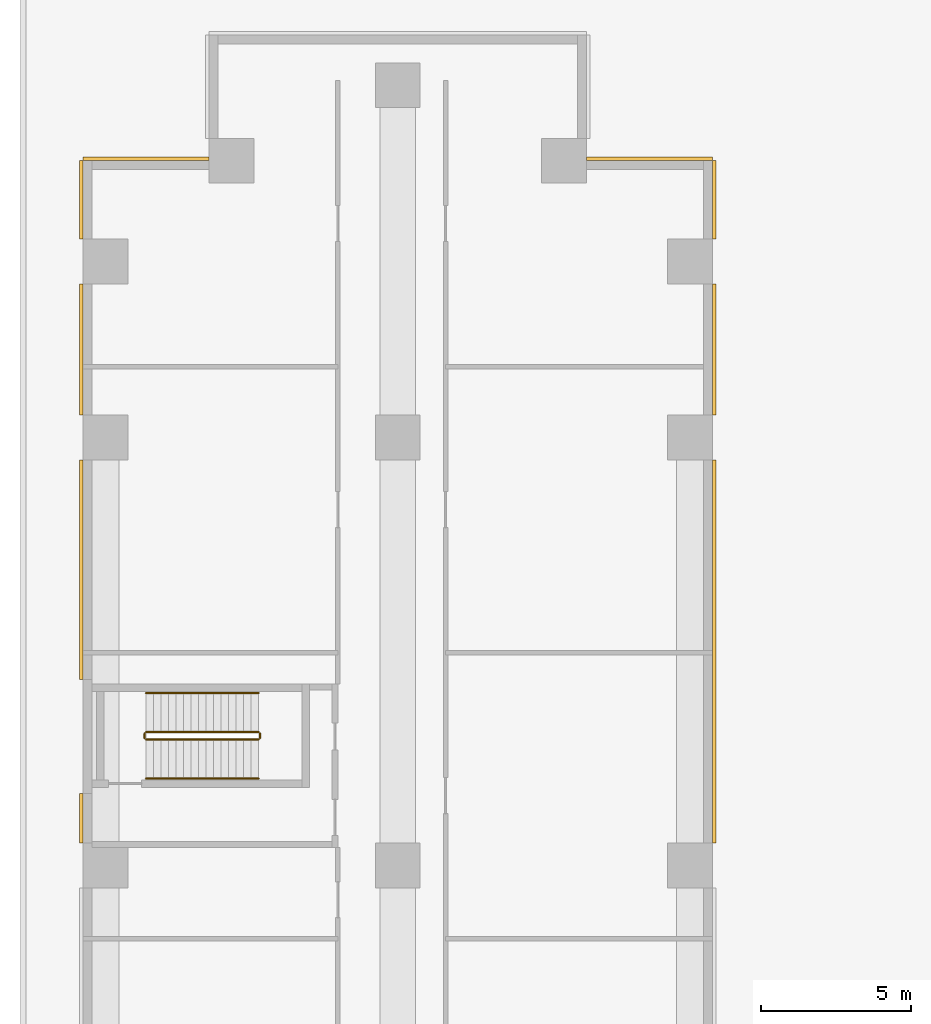
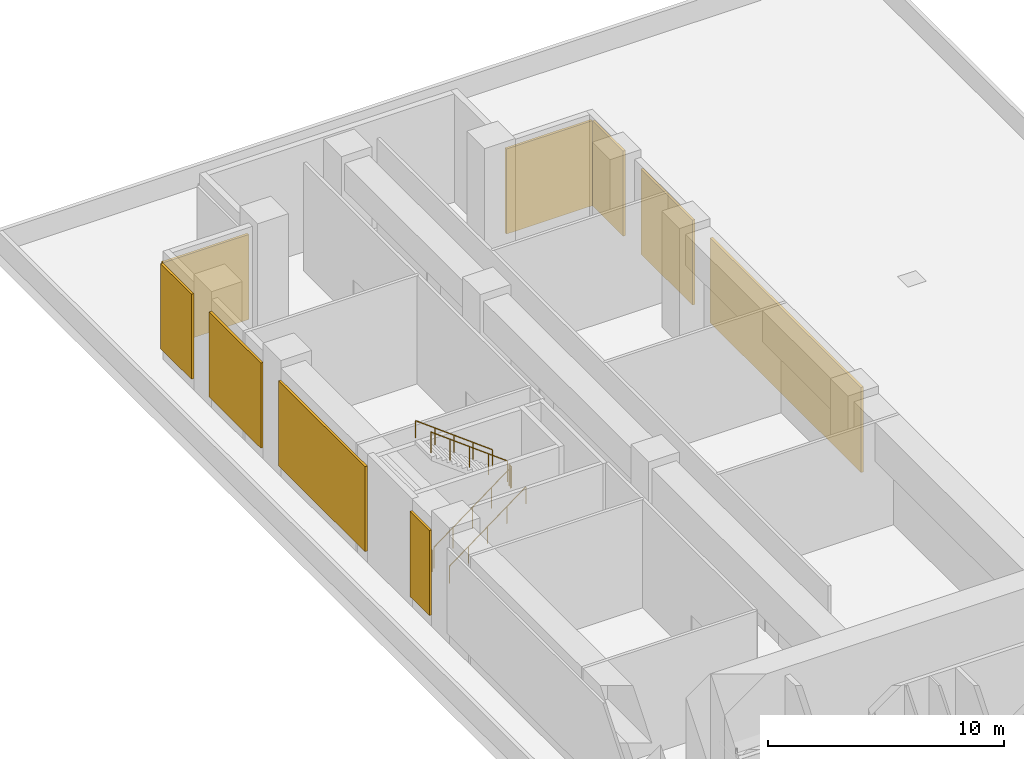
# One storey, part 10 of 11: 9 coverings, 6 railings.
"""IFC4 building model written with IfcOpenShell, lengths in metres."""

from ifc_helpers import new_model, si_unit, direction, frame, origin, origin_2d, place, context, subcontext, project, spatial, rectangle, circle, extrude, source, transform, mapped, material, type_object, element, save


model = new_model("IFC4")

# Units and contexts
model_context = context("Model", 3, precision=1e-05, world=origin(), true_north=direction((0.0, 1.0)))
body_context = subcontext(model_context, "Body", "Model", "MODEL_VIEW")
ifc_project = project(units=[si_unit("LENGTHUNIT", "METRE"), si_unit("AREAUNIT", "SQUARE_METRE"), si_unit("VOLUMEUNIT", "CUBIC_METRE"), si_unit("PLANEANGLEUNIT", "RADIAN"), si_unit("MASSUNIT", "GRAM", prefix="KILO")], contexts=[model_context])

# Site, building, storey
site_placement = place(None, origin())
site = spatial("IfcSite", under=ifc_project, at=site_placement, CompositionType="ELEMENT")
building_placement = place(site_placement, origin())
building = spatial("IfcBuilding", under=site, at=building_placement, Name="Aurelian Terraces", CompositionType="ELEMENT")
storey_placement = place(building_placement, frame((0.0, 0.0, 34.5)))
storey = spatial("IfcBuildingStorey", under=building, at=storey_placement, Name="L06", CompositionType="ELEMENT", Elevation=34.5)

# Coverings
ifc_material_1 = material(Name="Terracotta rainscreen cladding louvre blades", Category="masonry")
covering_type = type_object("IfcCoveringType", Name="LOUVRE-TC", PredefinedType="CLADDING", material=ifc_material_1)
covering_1_placement = place(storey_placement, frame((21.06, 44.94, 0.6), z_axis=(0.0, 0.0, 1.0), x_axis=(1.0, 0.0, 0.0)))
element("IfcCovering", 1, at=covering_1_placement, inside=storey, type_object=covering_type, Name="LOUVRE L06 F08", PredefinedType="CLADDING", context=body_context, shape_type="SweptSolid", body=[
    extrude(rectangle(XDim=0.12, YDim=12.78, at=origin_2d()), origin(), (0.0, 0.0, 1.0), 4.4),
])
covering_2_placement = place(storey_placement, frame((21.06, 55.02, 0.6), z_axis=(0.0, 0.0, 1.0), x_axis=(1.0, 0.0, 0.0)))
element("IfcCovering", 2, at=covering_2_placement, inside=storey, type_object=covering_type, Name="LOUVRE L06 F08", PredefinedType="CLADDING", context=body_context, shape_type="SweptSolid", body=[
    extrude(rectangle(XDim=0.12, YDim=4.38, at=origin_2d()), origin(), (0.0, 0.0, 1.0), 4.4),
])
covering_3_placement = place(storey_placement, frame((21.06, 60.015, 0.6), z_axis=(0.0, 0.0, 1.0), x_axis=(1.0, 0.0, 0.0)))
element("IfcCovering", 3, at=covering_3_placement, inside=storey, type_object=covering_type, Name="LOUVRE L06 F08", PredefinedType="CLADDING", context=body_context, shape_type="SweptSolid", body=[
    extrude(rectangle(XDim=0.12, YDim=2.61, at=origin_2d()), origin(), (0.0, 0.0, 1.0), 4.4),
])
covering_4_placement = place(storey_placement, frame((-0.06, 47.665, 0.6), z_axis=(0.0, 0.0, 1.0), x_axis=(1.0, 0.0, 0.0)))
element("IfcCovering", 4, at=covering_4_placement, inside=storey, type_object=covering_type, Name="LOUVRE L06 F14", PredefinedType="CLADDING", context=body_context, shape_type="SweptSolid", body=[
    extrude(rectangle(XDim=0.12, YDim=7.33, at=origin_2d()), origin(), (0.0, 0.0, 1.0), 4.4),
])
covering_5_placement = place(storey_placement, frame((-0.06, 39.375, 0.6), z_axis=(0.0, 0.0, 1.0), x_axis=(1.0, 0.0, 0.0)))
element("IfcCovering", 5, at=covering_5_placement, inside=storey, type_object=covering_type, Name="LOUVRE L06 F14", PredefinedType="CLADDING", context=body_context, shape_type="SweptSolid", body=[
    extrude(rectangle(XDim=0.12, YDim=1.65, at=origin_2d()), origin(), (0.0, 0.0, 1.0), 4.4),
])

# Railings
ifc_material_2 = material(Name="Stainless steel", Category="steel")
railing_type_1 = type_object("IfcRailingType", Name="Stair guard 1100", PredefinedType="GUARDRAIL", material=ifc_material_2)
railing_1_placement = place(storey_placement, frame((2.1, 42.0, 0.1875)))
element("IfcRailing", 6, at=railing_1_placement, inside=storey, type_object=railing_type_1, Name="L06 S3 stair guard 1", PredefinedType="GUARDRAIL", context=body_context, shape_type="SweptSolid", body=[
    extrude(circle(Radius=0.024, at=origin_2d()), frame((0.0, 0.0, 1.076), z_axis=(0.8, 0.0, 0.6), x_axis=(0.0, 1.0, 0.0)), (0.0, 0.0, 1.0), 4.6875),
    extrude(circle(Radius=0.021, at=origin_2d()), origin(), (0.0, 0.0, 1.0), 1.052),
    extrude(circle(Radius=0.021, at=origin_2d()), frame((0.9375, 0.0, 0.7031)), (0.0, 0.0, 1.0), 1.052),
    extrude(circle(Radius=0.021, at=origin_2d()), frame((1.875, 0.0, 1.4062)), (0.0, 0.0, 1.0), 1.052),
    extrude(circle(Radius=0.021, at=origin_2d()), frame((2.8125, 0.0, 2.1094)), (0.0, 0.0, 1.0), 1.052),
    extrude(circle(Radius=0.021, at=origin_2d()), frame((3.75, 0.0, 2.8125)), (0.0, 0.0, 1.0), 1.052),
])
railing_2_placement = place(storey_placement, frame((5.85, 42.25, 3.1875)))
element("IfcRailing", 7, at=railing_2_placement, inside=storey, type_object=railing_type_1, Name="L06 S3 stair guard 3", PredefinedType="GUARDRAIL", context=body_context, shape_type="SweptSolid", body=[
    extrude(circle(Radius=0.024, at=origin_2d()), frame((0.0, 0.0, 1.076), z_axis=(-0.8, 0.0, 0.6), x_axis=(0.0, -1.0, 0.0)), (0.0, 0.0, 1.0), 4.6875),
    extrude(circle(Radius=0.021, at=origin_2d()), origin(), (0.0, 0.0, 1.0), 1.052),
    extrude(circle(Radius=0.021, at=origin_2d()), frame((-0.9375, 0.0, 0.7031)), (0.0, 0.0, 1.0), 1.052),
    extrude(circle(Radius=0.021, at=origin_2d()), frame((-1.875, 0.0, 1.4062)), (0.0, 0.0, 1.0), 1.052),
    extrude(circle(Radius=0.021, at=origin_2d()), frame((-2.8125, 0.0, 2.1094)), (0.0, 0.0, 1.0), 1.052),
    extrude(circle(Radius=0.021, at=origin_2d()), frame((-3.75, 0.0, 2.8125)), (0.0, 0.0, 1.0), 1.052),
])
railing_type_2 = type_object("IfcRailingType", Name="Stair handrail", PredefinedType="HANDRAIL", material=ifc_material_2)
railing_3_placement = place(storey_placement, frame((2.1, 40.7, 0.1875)))
element("IfcRailing", 8, at=railing_3_placement, inside=storey, type_object=railing_type_2, Name="L06 S3 stair handrail 1", PredefinedType="HANDRAIL", context=body_context, shape_type="SweptSolid", body=[
    extrude(circle(Radius=0.024, at=origin_2d()), frame((0.0, 0.0, 0.876), z_axis=(0.8, 0.0, 0.6), x_axis=(0.0, 1.0, 0.0)), (0.0, 0.0, 1.0), 4.6875),
    extrude(circle(Radius=0.021, at=origin_2d()), origin(), (0.0, 0.0, 1.0), 0.852),
    extrude(circle(Radius=0.021, at=origin_2d()), frame((0.9375, 0.0, 0.7031)), (0.0, 0.0, 1.0), 0.852),
    extrude(circle(Radius=0.021, at=origin_2d()), frame((1.875, 0.0, 1.4062)), (0.0, 0.0, 1.0), 0.852),
    extrude(circle(Radius=0.021, at=origin_2d()), frame((2.8125, 0.0, 2.1094)), (0.0, 0.0, 1.0), 0.852),
    extrude(circle(Radius=0.021, at=origin_2d()), frame((3.75, 0.0, 2.8125)), (0.0, 0.0, 1.0), 0.852),
])
railing_4_placement = place(storey_placement, frame((5.85, 43.55, 3.1875)))
element("IfcRailing", 9, at=railing_4_placement, inside=storey, type_object=railing_type_2, Name="L06 S3 stair handrail 2", PredefinedType="HANDRAIL", context=body_context, shape_type="SweptSolid", body=[
    extrude(circle(Radius=0.024, at=origin_2d()), frame((0.0, 0.0, 0.876), z_axis=(-0.8, 0.0, 0.6), x_axis=(0.0, -1.0, 0.0)), (0.0, 0.0, 1.0), 4.6875),
    extrude(circle(Radius=0.021, at=origin_2d()), origin(), (0.0, 0.0, 1.0), 0.852),
    extrude(circle(Radius=0.021, at=origin_2d()), frame((-0.9375, 0.0, 0.7031)), (0.0, 0.0, 1.0), 0.852),
    extrude(circle(Radius=0.021, at=origin_2d()), frame((-1.875, 0.0, 1.4062)), (0.0, 0.0, 1.0), 0.852),
    extrude(circle(Radius=0.021, at=origin_2d()), frame((-2.8125, 0.0, 2.1094)), (0.0, 0.0, 1.0), 0.852),
    extrude(circle(Radius=0.021, at=origin_2d()), frame((-3.75, 0.0, 2.8125)), (0.0, 0.0, 1.0), 0.852),
])

# Coverings
shared_shape_1 = source(origin(), body_context, "Body", "SweptSolid", [
    extrude(rectangle(XDim=4.2, YDim=0.12, at=origin_2d()), origin(), (0.0, 0.0, 1.0), 4.4),
])
for number, where, z_axis, x_axis, name in (
    (10, (18.9, 61.38, 0.6), (0.0, 0.0, 1.0), (1.0, 0.0, 0.0), "LOUVRE L06 F09"),
    (11, (2.1, 61.38, 0.6), (0.0, 0.0, 1.0), (1.0, 0.0, 0.0), "LOUVRE L06 F13"),
):
    element("IfcCovering", number, at=place(storey_placement, frame(where, z_axis=z_axis, x_axis=x_axis)), inside=storey, type_object=covering_type, Name=name, PredefinedType="CLADDING", context=body_context, shape_type="MappedRepresentation", body=[
        mapped(shared_shape_1, transform((0.0, 0.0, 0.0), scale=1.0)),
    ])
shared_shape_2 = source(origin(), body_context, "Body", "SweptSolid", [
    extrude(rectangle(XDim=0.12, YDim=2.61, at=origin_2d()), origin(), (0.0, 0.0, 1.0), 4.4),
])
covering_6_placement = place(storey_placement, frame((-0.06, 60.015, 0.6), z_axis=(0.0, 0.0, 1.0), x_axis=(1.0, 0.0, 0.0)))
element("IfcCovering", 12, at=covering_6_placement, inside=storey, type_object=covering_type, Name="LOUVRE L06 F14", PredefinedType="CLADDING", context=body_context, shape_type="MappedRepresentation", body=[
    mapped(shared_shape_2, transform((0.0, 0.0, 0.0), scale=1.0)),
])
shared_shape_3 = source(origin(), body_context, "Body", "SweptSolid", [
    extrude(rectangle(XDim=0.12, YDim=4.38, at=origin_2d()), origin(), (0.0, 0.0, 1.0), 4.4),
])
covering_7_placement = place(storey_placement, frame((-0.06, 55.02, 0.6), z_axis=(0.0, 0.0, 1.0), x_axis=(1.0, 0.0, 0.0)))
element("IfcCovering", 13, at=covering_7_placement, inside=storey, type_object=covering_type, Name="LOUVRE L06 F14", PredefinedType="CLADDING", context=body_context, shape_type="MappedRepresentation", body=[
    mapped(shared_shape_3, transform((0.0, 0.0, 0.0), scale=1.0)),
])

# Railings
shared_shape_4 = source(origin(), body_context, "Body", "SweptSolid", [
    extrude(circle(Radius=0.024, at=origin_2d()), frame((0.0, 0.0, 1.076), z_axis=(0.0, 1.0, 0.0), x_axis=(-1.0, 0.0, 0.0)), (0.0, 0.0, 1.0), 0.15),
    extrude(circle(Radius=0.021, at=origin_2d()), origin(), (0.0, 0.0, 1.0), 1.052),
    extrude(circle(Radius=0.021, at=origin_2d()), frame((0.0, 0.15, 0.0)), (0.0, 0.0, 1.0), 1.052),
])
for number, where, name in (
    (14, (5.9, 42.05, 3.0), "L06 S3 stair guard 2"),
    (15, (2.05, 42.05, 0.0), "L06 S3 stair guard 4"),
):
    element("IfcRailing", number, at=place(storey_placement, frame(where)), inside=storey, type_object=railing_type_1, Name=name, PredefinedType="GUARDRAIL", context=body_context, shape_type="MappedRepresentation", body=[
        mapped(shared_shape_4, transform((0.0, 0.0, 0.0), scale=1.0)),
    ])

save(model, "model.ifc")
